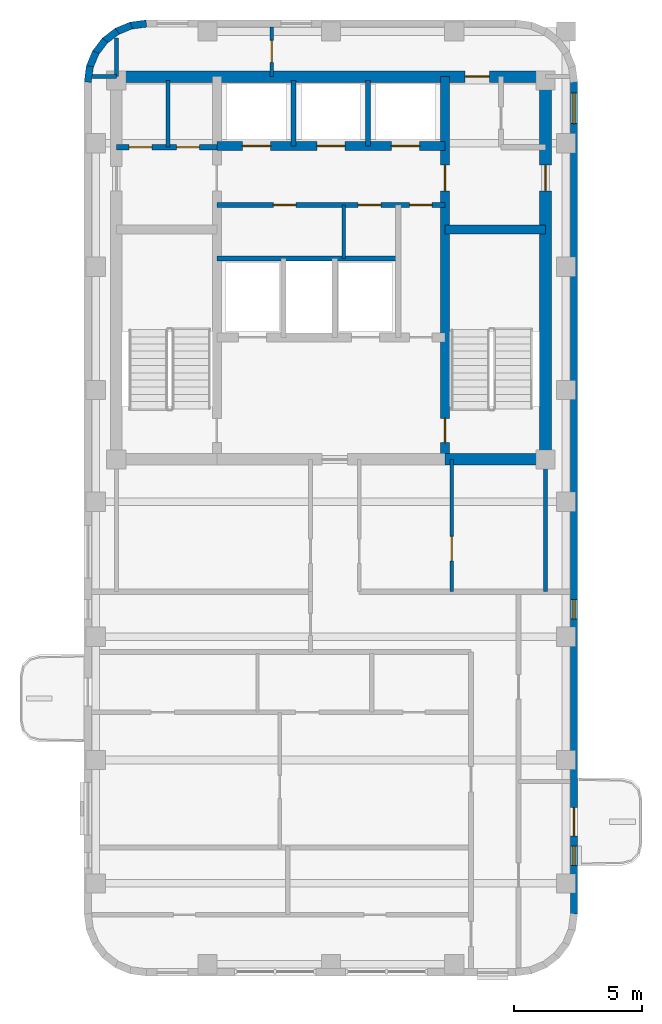
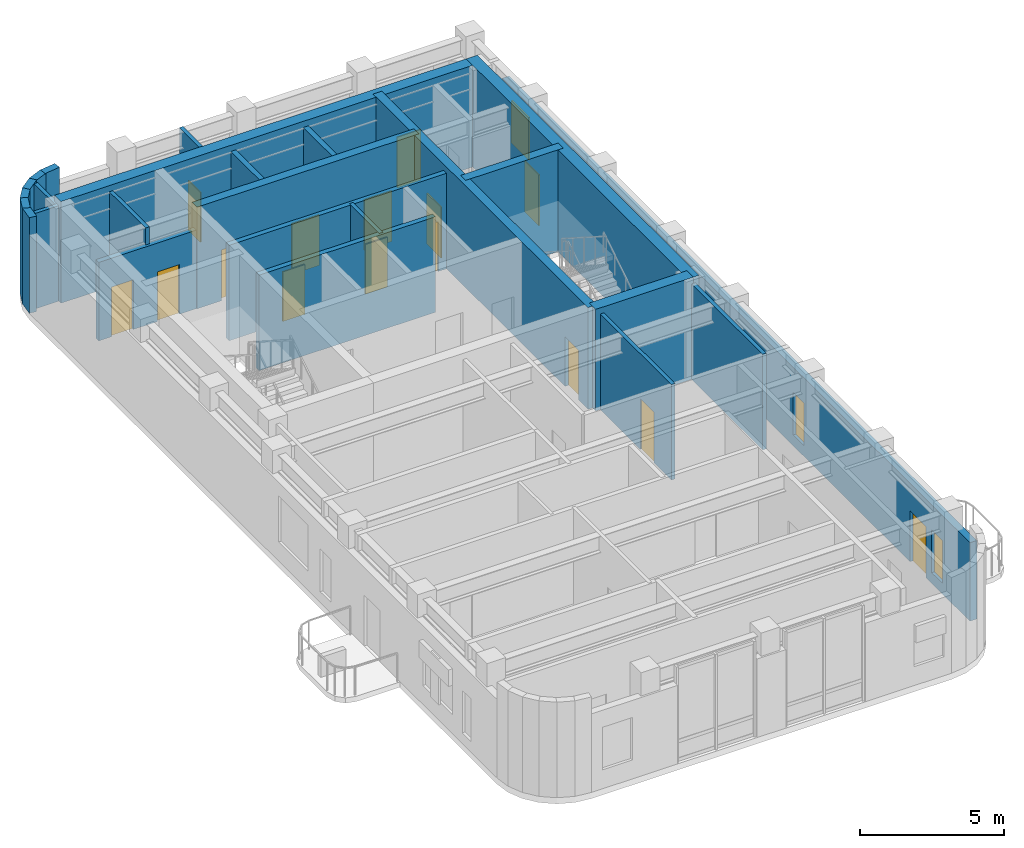
# One storey, part 4 of 6: 25 walls, 15 doors, 3 windows, 18 openings.
"""IFC4 building model written with IfcOpenShell, lengths in metres."""

from ifc_helpers import new_model, si_unit, direction, frame, frame_2d, origin, place, context, subcontext, project, spatial, rectangle, extrude, material, layer, layer_set, type_object, element, fill, save


model = new_model("IFC4")

# Units and contexts
model_context = context("Model", 3, precision=1e-05, world=origin(), true_north=direction((0.0, 1.0)))
body_context = subcontext(model_context, "Body", "Model", "MODEL_VIEW")
ifc_project = project(units=[si_unit("LENGTHUNIT", "METRE"), si_unit("AREAUNIT", "SQUARE_METRE"), si_unit("VOLUMEUNIT", "CUBIC_METRE"), si_unit("PLANEANGLEUNIT", "RADIAN"), si_unit("MASSUNIT", "GRAM", prefix="KILO")], contexts=[model_context])

# Site, building, storey
site_placement = place(None, origin())
site = spatial("IfcSite", under=ifc_project, at=site_placement, CompositionType="ELEMENT")
building_placement = place(site_placement, origin())
building = spatial("IfcBuilding", under=site, at=building_placement, Name="Orvandelia Arch Residences", CompositionType="ELEMENT")
storey_placement = place(building_placement, frame((0.0, 0.0, 278.5)))
storey = spatial("IfcBuildingStorey", under=building, at=storey_placement, Name="L72", CompositionType="ELEMENT", Elevation=278.5)

# Wall, openings, doors
ifc_material_1 = material(Name="Concrete C50/60", Category="concrete")
ifc_layer_1 = layer(ifc_material_1, 0.35009765625, Name="Concrete C50/60", Category="concrete")
ifc_layer_set_1 = layer_set([ifc_layer_1], Name="Concrete C50/60")
wall_type_1 = type_object("IfcWallType", Name="WL-CORE-350", PredefinedType="SHEAR", material=ifc_layer_set_1)
wall_1_placement = place(storey_placement, frame((18.840087890625, 30.89990234375, 0.0), z_axis=(0.0, 0.0, 1.0), x_axis=(0.0, 1.0, 0.0)))
wall_1 = element("IfcWall", 1, at=wall_1_placement, inside=storey, type_object=wall_type_1, Name="Core Shear Wall L72-WEB2", PredefinedType="SHEAR", context=body_context, shape_type="SweptSolid", body=[
    extrude(rectangle(XDim=14.900146484375, YDim=0.35009765625, at=frame_2d((7.4501953125, 0.0))), origin(), (0.0, 0.0, 1.0), 4.300048828125),
])
opening_1_placement = place(wall_1_placement, frame((0.64990234375, 0.0, 0.0)))
opening_1 = element("IfcOpeningElement", 2, at=opening_1_placement, cuts=wall_1, Name="Opening D7", PredefinedType="OPENING", context=body_context, shape_type="SweptSolid", body=[
    extrude(rectangle(XDim=0.949951171875, YDim=2.10009765625, at=frame_2d((0.47509765625, 1.050048828125))), frame((0.0, 0.18505859375, 0.0), z_axis=(0.0, -1.0, 0.0), x_axis=(1.0, 0.0, 0.0)), (0.0, 0.0, 1.0), 0.3701171875),
])
opening_2_placement = place(wall_1_placement, frame((10.449951171875, 0.0, 0.0)))
opening_2 = element("IfcOpeningElement", 3, at=opening_2_placement, cuts=wall_1, Name="Opening D6", PredefinedType="OPENING", context=body_context, shape_type="SweptSolid", body=[
    extrude(rectangle(XDim=1.0, YDim=2.14990234375, at=frame_2d((0.5, 1.074951171875))), frame((0.0, 0.18505859375, 0.0), z_axis=(0.0, -1.0, 0.0), x_axis=(1.0, 0.0, 0.0)), (0.0, 0.0, 1.0), 0.3701171875),
])
ifc_material_2 = material(Name="Smokeproof Painted Steel Fire Door", Category="steel")
door_type_1 = type_object("IfcDoorType", Name="DR-FD60-1000", OperationType="NOTDEFINED", PredefinedType="DOOR", material=ifc_material_2)
door_1_placement = place(opening_2_placement, origin())
door_1 = element("IfcDoor", 4, at=door_1_placement, inside=storey, type_object=door_type_1, Name="High-Rise Lift Hall East Vestibule Door L72", OperationType="SINGLE_SWING_RIGHT", OverallHeight=2.14990234375, OverallWidth=1.0, PredefinedType="DOOR", context=body_context, shape_type="SweptSolid", body=[
    extrude(rectangle(XDim=1.0, YDim=2.14990234375, at=frame_2d((0.5, 1.074951171875))), frame((0.0, 0.02490234375, 0.0), z_axis=(0.0, -1.0, 0.0), x_axis=(1.0, 0.0, 0.0)), (0.0, 0.0, 1.0), 0.050048828125),
])
fill(opening_2, door_1)
ifc_material_3 = material(Name="Pressurised Stairwell Fire Door")
door_type_2 = type_object("IfcDoorType", Name="DR-STAIR-950", OperationType="NOTDEFINED", PredefinedType="DOOR", material=ifc_material_3)
door_2_placement = place(opening_1_placement, origin())
door_2 = element("IfcDoor", 5, at=door_2_placement, inside=storey, type_object=door_type_2, Name="Stairwell ST-2 Fire Door L72", OperationType="SINGLE_SWING_RIGHT", OverallHeight=2.10009765625, OverallWidth=0.949951171875, PredefinedType="DOOR", context=body_context, shape_type="SweptSolid", body=[
    extrude(rectangle(XDim=0.949951171875, YDim=2.10009765625, at=frame_2d((0.47509765625, 1.050048828125))), frame((0.0, 0.02490234375, 0.0), z_axis=(0.0, -1.0, 0.0), x_axis=(1.0, 0.0, 0.0)), (0.0, 0.0, 1.0), 0.050048828125),
])
fill(opening_1, door_2)

# Wall
wall_2_placement = place(storey_placement, frame((18.840087890625, 39.85009765625, 0.0), z_axis=(0.0, 0.0, 1.0), x_axis=(1.0, 0.0, 0.0)))
element("IfcWall", 6, at=wall_2_placement, inside=storey, type_object=wall_type_1, Name="Core Shear Wall L72-HZ2", PredefinedType="SHEAR", context=body_context, shape_type="SweptSolid", body=[
    extrude(rectangle(XDim=3.909912109375, YDim=0.35009765625, at=frame_2d((1.955078125, 0.0))), origin(), (0.0, 0.0, 1.0), 4.300048828125),
])

# Wall, openings, doors
wall_3_placement = place(storey_placement, frame((9.9599609375, 43.10009765625, 0.0), z_axis=(0.0, 0.0, 1.0), x_axis=(1.0, 0.0, 0.0)))
wall_3 = element("IfcWall", 7, at=wall_3_placement, inside=storey, type_object=wall_type_1, Name="Core Shear Wall L72-HZ4", PredefinedType="SHEAR", context=body_context, shape_type="SweptSolid", body=[
    extrude(rectangle(XDim=8.880126953125, YDim=0.35009765625, at=frame_2d((4.43994140625, 0.0))), origin(), (0.0, 0.0, 1.0), 4.300048828125),
])
opening_3_placement = place(wall_3_placement, frame((0.989990234375, 0.0, 0.0)))
opening_3 = element("IfcOpeningElement", 8, at=opening_3_placement, cuts=wall_3, Name="Opening LD", PredefinedType="OPENING", context=body_context, shape_type="SweptSolid", body=[
    extrude(rectangle(XDim=1.10009765625, YDim=2.14990234375, at=frame_2d((0.550048828125, 1.074951171875))), frame((0.0, 0.18505859375, 0.0), z_axis=(0.0, -1.0, 0.0), x_axis=(1.0, 0.0, 0.0)), (0.0, 0.0, 1.0), 0.3701171875),
])
opening_4_placement = place(wall_3_placement, frame((3.889892578125, 0.0, 0.0)))
opening_4 = element("IfcOpeningElement", 9, at=opening_4_placement, cuts=wall_3, Name="Opening LD", PredefinedType="OPENING", context=body_context, shape_type="SweptSolid", body=[
    extrude(rectangle(XDim=1.10009765625, YDim=2.14990234375, at=frame_2d((0.550048828125, 1.074951171875))), frame((0.0, 0.18505859375, 0.0), z_axis=(0.0, -1.0, 0.0), x_axis=(1.0, 0.0, 0.0)), (0.0, 0.0, 1.0), 0.3701171875),
])
opening_5_placement = place(wall_3_placement, frame((6.7900390625, 0.0, 0.0)))
opening_5 = element("IfcOpeningElement", 10, at=opening_5_placement, cuts=wall_3, Name="Opening LD", PredefinedType="OPENING", context=body_context, shape_type="SweptSolid", body=[
    extrude(rectangle(XDim=1.10009765625, YDim=2.14990234375, at=frame_2d((0.550048828125, 1.074951171875))), frame((0.0, 0.18505859375, 0.0), z_axis=(0.0, -1.0, 0.0), x_axis=(1.0, 0.0, 0.0)), (0.0, 0.0, 1.0), 0.3701171875),
])
ifc_material_4 = material(Name="Brushed Stainless Steel Sliding Lift Door", Category="steel")
door_type_3 = type_object("IfcDoorType", Name="DR-LIFT-1100", OperationType="NOTDEFINED", PredefinedType="DOOR", material=ifc_material_4)
door_3_placement = place(opening_3_placement, origin())
door_3 = element("IfcDoor", 11, at=door_3_placement, inside=storey, type_object=door_type_3, Name="Lift Landing Door LD-PH1-L72", OperationType="SLIDING_TO_LEFT", OverallHeight=2.14990234375, OverallWidth=1.10009765625, PredefinedType="DOOR", context=body_context, shape_type="SweptSolid", body=[
    extrude(rectangle(XDim=1.10009765625, YDim=2.14990234375, at=frame_2d((0.550048828125, 1.074951171875))), frame((0.0, 0.02490234375, 0.0), z_axis=(0.0, -1.0, 0.0), x_axis=(1.0, 0.0, 0.0)), (0.0, 0.0, 1.0), 0.050048828125),
])
fill(opening_3, door_3)
door_4_placement = place(opening_4_placement, origin())
door_4 = element("IfcDoor", 12, at=door_4_placement, inside=storey, type_object=door_type_3, Name="Lift Landing Door LD-PH2-L72", OperationType="SLIDING_TO_RIGHT", OverallHeight=2.14990234375, OverallWidth=1.10009765625, PredefinedType="DOOR", context=body_context, shape_type="SweptSolid", body=[
    extrude(rectangle(XDim=1.10009765625, YDim=2.14990234375, at=frame_2d((0.550048828125, 1.074951171875))), frame((0.0, 0.02490234375, 0.0), z_axis=(0.0, -1.0, 0.0), x_axis=(1.0, 0.0, 0.0)), (0.0, 0.0, 1.0), 0.050048828125),
])
fill(opening_4, door_4)
door_5_placement = place(opening_5_placement, origin())
door_5 = element("IfcDoor", 13, at=door_5_placement, inside=storey, type_object=door_type_3, Name="Lift Landing Door LD-PH3-L72", OperationType="SLIDING_TO_LEFT", OverallHeight=2.14990234375, OverallWidth=1.10009765625, PredefinedType="DOOR", context=body_context, shape_type="SweptSolid", body=[
    extrude(rectangle(XDim=1.10009765625, YDim=2.14990234375, at=frame_2d((0.550048828125, 1.074951171875))), frame((0.0, 0.02490234375, 0.0), z_axis=(0.0, -1.0, 0.0), x_axis=(1.0, 0.0, 0.0)), (0.0, 0.0, 1.0), 0.050048828125),
])
fill(opening_5, door_5)

# Wall, opening, door
ifc_layer_2 = layer(ifc_material_1, 0.449951171875, Name="Concrete C50/60", Category="concrete")
ifc_layer_set_2 = layer_set([ifc_layer_2], Name="Concrete C50/60")
wall_type_2 = type_object("IfcWallType", Name="WL-CORE-450", PredefinedType="SHEAR", material=ifc_layer_set_2)
wall_4_placement = place(storey_placement, frame((22.75, 30.675048828125, 0.0), z_axis=(0.0, 0.0, 1.0), x_axis=(0.0, 1.0, 0.0)))
wall_4 = element("IfcWall", 14, at=wall_4_placement, inside=storey, type_object=wall_type_2, Name="Core Shear Wall L72-E", PredefinedType="SHEAR", context=body_context, shape_type="SweptSolid", body=[
    extrude(rectangle(XDim=15.349853515625, YDim=0.449951171875, at=frame_2d((7.6748046875, 0.0))), origin(), (0.0, 0.0, 1.0), 4.300048828125),
])
opening_6_placement = place(wall_4_placement, frame((10.675048828125, 0.0, 0.0)))
opening_6 = element("IfcOpeningElement", 15, at=opening_6_placement, cuts=wall_4, Name="Opening D6", PredefinedType="OPENING", context=body_context, shape_type="SweptSolid", body=[
    extrude(rectangle(XDim=1.0, YDim=2.14990234375, at=frame_2d((0.5, 1.074951171875))), frame((0.0, 0.23486328125, 0.0), z_axis=(0.0, -1.0, 0.0), x_axis=(1.0, 0.0, 0.0)), (0.0, 0.0, 1.0), 0.469970703125),
])
door_6_placement = place(opening_6_placement, origin())
door_6 = element("IfcDoor", 16, at=door_6_placement, inside=storey, type_object=door_type_1, Name="Core East Corridor Link Door L72", OperationType="SINGLE_SWING_LEFT", OverallHeight=2.14990234375, OverallWidth=1.0, PredefinedType="DOOR", context=body_context, shape_type="SweptSolid", body=[
    extrude(rectangle(XDim=1.0, YDim=2.14990234375, at=frame_2d((0.5, 1.074951171875))), frame((0.0, 0.02490234375, 0.0), z_axis=(0.0, -1.0, 0.0), x_axis=(1.0, 0.0, 0.0)), (0.0, 0.0, 1.0), 0.050048828125),
])
fill(opening_6, door_6)

wall_5_placement = place(storey_placement, frame((6.050048828125, 45.800048828125, 0.0), z_axis=(0.0, 0.0, 1.0), x_axis=(1.0, 0.0, 0.0)))
wall_5 = element("IfcWall", 17, at=wall_5_placement, inside=storey, type_object=wall_type_2, Name="Core Shear Wall L72-N", PredefinedType="SHEAR", context=body_context, shape_type="SweptSolid", body=[
    extrude(rectangle(XDim=16.699951171875, YDim=0.449951171875, at=frame_2d((8.35009765625, 0.0))), origin(), (0.0, 0.0, 1.0), 4.300048828125),
])
opening_7_placement = place(wall_5_placement, frame((13.570068359375, 0.0, 0.0)))
opening_7 = element("IfcOpeningElement", 18, at=opening_7_placement, cuts=wall_5, Name="Opening D2", PredefinedType="OPENING", context=body_context, shape_type="SweptSolid", body=[
    extrude(rectangle(XDim=0.949951171875, YDim=2.14990234375, at=frame_2d((0.47509765625, 1.074951171875))), frame((0.0, 0.23486328125, 0.0), z_axis=(0.0, -1.0, 0.0), x_axis=(1.0, 0.0, 0.0)), (0.0, 0.0, 1.0), 0.469970703125),
])
ifc_material_5 = material(Name="Solid-Core Timber Interior Fire Door", Category="wood")
door_type_4 = type_object("IfcDoorType", Name="DR-APT-950", OperationType="NOTDEFINED", PredefinedType="DOOR", material=ifc_material_5)
door_7_placement = place(opening_7_placement, origin())
door_7 = element("IfcDoor", 19, at=door_7_placement, inside=storey, type_object=door_type_4, Name="North Harbour Suite Entry Door L72", OperationType="SINGLE_SWING_LEFT", OverallHeight=2.14990234375, OverallWidth=0.949951171875, PredefinedType="DOOR", context=body_context, shape_type="SweptSolid", body=[
    extrude(rectangle(XDim=0.949951171875, YDim=2.14990234375, at=frame_2d((0.47509765625, 1.074951171875))), frame((0.0, 0.02490234375, 0.0), z_axis=(0.0, -1.0, 0.0), x_axis=(1.0, 0.0, 0.0)), (0.0, 0.0, 1.0), 0.050048828125),
])
fill(opening_7, door_7)

# Walls
wall_6_placement = place(storey_placement, frame((18.840087890625, 30.89990234375, 0.0), z_axis=(0.0, 0.0, 1.0), x_axis=(1.0, 0.0, 0.0)))
element("IfcWall", 20, at=wall_6_placement, inside=storey, type_object=wall_type_2, Name="Core Shear Wall L72-SE", PredefinedType="SHEAR", context=body_context, shape_type="SweptSolid", body=[
    extrude(rectangle(XDim=3.909912109375, YDim=0.449951171875, at=frame_2d((1.955078125, 0.0))), origin(), (0.0, 0.0, 1.0), 4.300048828125),
])
ifc_material_6 = material(Name="Precast concrete C40/50", Category="concrete")
ifc_layer_3 = layer(ifc_material_6, 0.280029296875, Name="Precast concrete C40/50", Category="concrete")
ifc_layer_set_3 = layer_set([ifc_layer_3], Name="Precast concrete C40/50")
wall_type_3 = type_object("IfcWallType", Name="WL-EXT-STONE-280", PredefinedType="STANDARD", material=ifc_layer_set_3)
for number, where, z_axis, x_axis, name in (
    (21, (4.938720703125, 45.581787109375, 0.0), (0.0, 0.0, 1.0), (0.130555323746, 0.9914410257, 0.0), "Coral-Limestone Precast Facade Wall L72-001"),
    (22, (5.010986328125, 46.16748046875, 0.0), (0.0, 0.0, 1.0), (0.382650053678, 0.92389335771, 0.0), "Coral-Limestone Precast Facade Wall L72-002"),
    (23, (5.232666015625, 46.71484375, 0.0), (0.0, 0.0, 1.0), (0.608693302629, 0.793405610854, 0.0), "Coral-Limestone Precast Facade Wall L72-003"),
    (24, (5.588134765625, 47.18603515625, 0.0), (0.0, 0.0, 1.0), (0.793405610854, 0.608693302629, 0.0), "Coral-Limestone Precast Facade Wall L72-004"),
):
    element("IfcWall", number, at=place(storey_placement, frame(where, z_axis=z_axis, x_axis=x_axis)), inside=storey, type_object=wall_type_3, Name=name, PredefinedType="STANDARD", context=body_context, shape_type="SweptSolid", body=[
        extrude(rectangle(XDim=0.62646484375, YDim=0.280029296875, at=frame_2d((0.313232421875, 0.0))), origin(), (0.0, 0.0, 1.0), 4.0400390625),
    ])
wall_7_placement = place(storey_placement, frame((6.0537109375, 47.54931640625, 0.0), z_axis=(0.0, 0.0, 1.0), x_axis=(0.923974080304, 0.382455093999, 0.0)))
element("IfcWall", 25, at=wall_7_placement, inside=storey, type_object=wall_type_3, Name="Coral-Limestone Precast Facade Wall L72-005", PredefinedType="STANDARD", context=body_context, shape_type="SweptSolid", body=[
    extrude(rectangle(XDim=0.626220703125, YDim=0.280029296875, at=frame_2d((0.31298828125, 0.0))), origin(), (0.0, 0.0, 1.0), 4.0400390625),
])
wall_8_placement = place(storey_placement, frame((6.59716796875, 47.779296875, 0.0), z_axis=(0.0, 0.0, 1.0), x_axis=(0.9914410257, 0.130555323746, 0.0)))
element("IfcWall", 26, at=wall_8_placement, inside=storey, type_object=wall_type_3, Name="Coral-Limestone Precast Facade Wall L72-006", PredefinedType="STANDARD", context=body_context, shape_type="SweptSolid", body=[
    extrude(rectangle(XDim=0.62646484375, YDim=0.280029296875, at=frame_2d((0.313232421875, 0.0))), origin(), (0.0, 0.0, 1.0), 4.0400390625),
])

# Wall, openings, door, windows
wall_9_placement = place(storey_placement, frame((23.860107421875, 45.60009765625, 0.0), z_axis=(0.0, 0.0, 1.0), x_axis=(0.0, -1.0, 0.0)))
wall_9 = element("IfcWall", 27, at=wall_9_placement, inside=storey, type_object=wall_type_3, Name="Coral-Limestone Precast Facade Wall L72-014", PredefinedType="STANDARD", context=body_context, shape_type="SweptSolid", body=[
    extrude(rectangle(XDim=32.400146484375, YDim=0.280029296875, at=frame_2d((16.2001953125, 0.0))), origin(), (0.0, 0.0, 1.0), 3.320068359375),
])
opening_8_placement = place(wall_9_placement, frame((28.25, 0.0, 0.0)))
opening_8 = element("IfcOpeningElement", 28, at=opening_8_placement, cuts=wall_9, Name="Opening BD1", PredefinedType="OPENING", context=body_context, shape_type="SweptSolid", body=[
    extrude(rectangle(XDim=1.10009765625, YDim=2.14990234375, at=frame_2d((0.550048828125, 1.074951171875))), frame((0.0, 0.14990234375, 0.0), z_axis=(0.0, -1.0, 0.0), x_axis=(1.0, 0.0, 0.0)), (0.0, 0.0, 1.0), 0.300048828125),
])
opening_9_placement = place(wall_9_placement, frame((29.75244140625, 0.0, 0.449951171875)))
opening_9 = element("IfcOpeningElement", 29, at=opening_9_placement, cuts=wall_9, Name="Opening W11", PredefinedType="OPENING", context=body_context, shape_type="SweptSolid", body=[
    extrude(rectangle(XDim=0.75, YDim=1.800048828125, at=frame_2d((0.375, 0.89990234375))), frame((0.0, 0.14990234375, 0.0), z_axis=(0.0, -1.0, 0.0), x_axis=(1.0, 0.0, 0.0)), (0.0, 0.0, 1.0), 0.300048828125),
])
opening_10_placement = place(wall_9_placement, frame((20.152587890625, 0.0, 0.449951171875)))
opening_10 = element("IfcOpeningElement", 30, at=opening_10_placement, cuts=wall_9, Name="Opening W11", PredefinedType="OPENING", context=body_context, shape_type="SweptSolid", body=[
    extrude(rectangle(XDim=0.75, YDim=1.800048828125, at=frame_2d((0.375, 0.89990234375))), frame((0.0, 0.14990234375, 0.0), z_axis=(0.0, -1.0, 0.0), x_axis=(1.0, 0.0, 0.0)), (0.0, 0.0, 1.0), 0.300048828125),
])
opening_11_placement = place(wall_9_placement, frame((0.4326171875, 0.0, 0.800048828125)))
opening_11 = element("IfcOpeningElement", 31, at=opening_11_placement, cuts=wall_9, Name="Opening W3", PredefinedType="OPENING", context=body_context, shape_type="SweptSolid", body=[
    extrude(rectangle(XDim=1.199951171875, YDim=1.800048828125, at=frame_2d((0.60009765625, 0.89990234375))), frame((0.0, 0.14990234375, 0.0), z_axis=(0.0, -1.0, 0.0), x_axis=(1.0, 0.0, 0.0)), (0.0, 0.0, 1.0), 0.300048828125),
])
ifc_material_7 = material(Name="Thermally Broken Aluminium Glazed Door", Category="aluminium")
door_type_5 = type_object("IfcDoorType", Name="DR-BAL-GLAZ-1100", OperationType="NOTDEFINED", PredefinedType="DOOR", material=ifc_material_7)
door_8_placement = place(opening_8_placement, origin())
door_8 = element("IfcDoor", 32, at=door_8_placement, inside=storey, type_object=door_type_5, Name="Tree Balcony Glazed Door BAL-L72-W2", OperationType="SINGLE_SWING_LEFT", OverallHeight=2.14990234375, OverallWidth=1.10009765625, PredefinedType="DOOR", context=body_context, shape_type="SweptSolid", body=[
    extrude(rectangle(XDim=1.10009765625, YDim=2.14990234375, at=frame_2d((0.550048828125, 1.074951171875))), frame((0.0, 0.02490234375, 0.0), z_axis=(0.0, -1.0, 0.0), x_axis=(1.0, 0.0, 0.0)), (0.0, 0.0, 1.0), 0.050048828125),
])
fill(opening_8, door_8)
ifc_material_8 = material(Name="Tempered Low-E Insulated Glazing", Category="glass")
window_type_1 = type_object("IfcWindowType", Name="WIN-BED-0750x1800", PartitioningType="SINGLE_PANEL", PredefinedType="WINDOW", material=ifc_material_8)
window_1_placement = place(opening_9_placement, origin())
window_1 = element("IfcWindow", 33, at=window_1_placement, inside=storey, type_object=window_type_1, Name="Recessed Punched Window L72-003", OverallHeight=1.800048828125, OverallWidth=0.75, PartitioningType="SINGLE_PANEL", PredefinedType="WINDOW", context=body_context, shape_type="SweptSolid", body=[
    extrude(rectangle(XDim=0.75, YDim=1.800048828125, at=frame_2d((0.375, 0.89990234375))), frame((0.0, 0.030029296875, 0.0), z_axis=(0.0, -1.0, 0.0), x_axis=(1.0, 0.0, 0.0)), (0.0, 0.0, 1.0), 0.06005859375),
])
fill(opening_9, window_1)
window_2_placement = place(opening_10_placement, origin())
window_2 = element("IfcWindow", 34, at=window_2_placement, inside=storey, type_object=window_type_1, Name="Recessed Punched Window L72-004", OverallHeight=1.800048828125, OverallWidth=0.75, PartitioningType="SINGLE_PANEL", PredefinedType="WINDOW", context=body_context, shape_type="SweptSolid", body=[
    extrude(rectangle(XDim=0.75, YDim=1.800048828125, at=frame_2d((0.375, 0.89990234375))), frame((0.0, 0.030029296875, 0.0), z_axis=(0.0, -1.0, 0.0), x_axis=(1.0, 0.0, 0.0)), (0.0, 0.0, 1.0), 0.06005859375),
])
fill(opening_10, window_2)
window_type_2 = type_object("IfcWindowType", Name="WIN-RES-1200x1800", PartitioningType="SINGLE_PANEL", PredefinedType="WINDOW", material=ifc_material_8)
window_3_placement = place(opening_11_placement, origin())
window_3 = element("IfcWindow", 35, at=window_3_placement, inside=storey, type_object=window_type_2, Name="Recessed Punched Window L72-005", OverallHeight=1.800048828125, OverallWidth=1.199951171875, PartitioningType="SINGLE_PANEL", PredefinedType="WINDOW", context=body_context, shape_type="SweptSolid", body=[
    extrude(rectangle(XDim=1.199951171875, YDim=1.800048828125, at=frame_2d((0.60009765625, 0.89990234375))), frame((0.0, 0.030029296875, 0.0), z_axis=(0.0, -1.0, 0.0), x_axis=(1.0, 0.0, 0.0)), (0.0, 0.0, 1.0), 0.06005859375),
])
fill(opening_11, window_3)

# Walls
ifc_material_9 = material(Name="Acoustic Gypsum Stud Partition")
ifc_layer_4 = layer(ifc_material_9, 0.14990234375, Name="Acoustic Gypsum Stud Partition")
ifc_layer_set_4 = layer_set([ifc_layer_4], Name="Acoustic Gypsum Stud Partition")
wall_type_4 = type_object("IfcWallType", Name="WL-PART-150", PredefinedType="PARTITIONING", material=ifc_layer_set_4)
wall_10_placement = place(storey_placement, frame((8.06005859375, 43.050048828125, 0.0), z_axis=(0.0, 0.0, 1.0), x_axis=(0.0, 1.0, 0.0)))
element("IfcWall", 36, at=wall_10_placement, inside=storey, type_object=wall_type_4, Name="Interior Partition Wall WL-L72-CRELC-M", PredefinedType="PARTITIONING", context=body_context, shape_type="SweptSolid", body=[
    extrude(rectangle(XDim=2.599853515625, YDim=0.14990234375, at=frame_2d((1.2998046875, 0.0))), origin(), (0.0, 0.0, 1.0), 4.0400390625),
])
wall_11_placement = place(storey_placement, frame((14.89990234375, 38.719970703125, 0.0), z_axis=(0.0, 0.0, 1.0), x_axis=(0.0, 1.0, 0.0)))
element("IfcWall", 37, at=wall_11_placement, inside=storey, type_object=wall_type_4, Name="Interior Partition Wall WL-L72-CSA-1", PredefinedType="PARTITIONING", context=body_context, shape_type="SweptSolid", body=[
    extrude(rectangle(XDim=2.080078125, YDim=0.14990234375, at=frame_2d((1.0400390625, 0.0))), origin(), (0.0, 0.0, 1.0), 4.0400390625),
])
wall_12_placement = place(storey_placement, frame((22.75, 25.75, 0.0), z_axis=(0.0, 0.0, 1.0), x_axis=(0.0, 1.0, 0.0)))
element("IfcWall", 38, at=wall_12_placement, inside=storey, type_object=wall_type_4, Name="Interior Partition Wall WL-L72-HI-WE", PredefinedType="PARTITIONING", context=body_context, shape_type="SweptSolid", body=[
    extrude(rectangle(XDim=5.14990234375, YDim=0.14990234375, at=frame_2d((2.574951171875, 0.0))), origin(), (0.0, 0.0, 1.0), 4.0400390625),
])

# Wall, opening, door
wall_13_placement = place(storey_placement, frame((19.10009765625, 25.75, 0.0), z_axis=(0.0, 0.0, 1.0), x_axis=(0.0, 1.0, 0.0)))
wall_13 = element("IfcWall", 39, at=wall_13_placement, inside=storey, type_object=wall_type_4, Name="Interior Partition Wall WL-L72-HIR-M2", PredefinedType="PARTITIONING", context=body_context, shape_type="SweptSolid", body=[
    extrude(rectangle(XDim=5.14990234375, YDim=0.14990234375, at=frame_2d((2.574951171875, 0.0))), origin(), (0.0, 0.0, 1.0), 4.0400390625),
])
opening_12_placement = place(wall_13_placement, frame((1.199951171875, 0.0, 0.0)))
opening_12 = element("IfcOpeningElement", 40, at=opening_12_placement, cuts=wall_13, Name="Opening D2", PredefinedType="OPENING", context=body_context, shape_type="SweptSolid", body=[
    extrude(rectangle(XDim=0.949951171875, YDim=2.14990234375, at=frame_2d((0.47509765625, 1.074951171875))), frame((0.0, 0.0849609375, 0.0), z_axis=(0.0, -1.0, 0.0), x_axis=(1.0, 0.0, 0.0)), (0.0, 0.0, 1.0), 0.169921875),
])
door_9_placement = place(opening_12_placement, origin())
door_9 = element("IfcDoor", 41, at=door_9_placement, inside=storey, type_object=door_type_4, Name="DR-L72-HIR2B", OperationType="SINGLE_SWING_LEFT", OverallHeight=2.14990234375, OverallWidth=0.949951171875, PredefinedType="DOOR", context=body_context, shape_type="SweptSolid", body=[
    extrude(rectangle(XDim=0.949951171875, YDim=2.14990234375, at=frame_2d((0.47509765625, 1.074951171875))), frame((0.0, 0.02490234375, 0.0), z_axis=(0.0, -1.0, 0.0), x_axis=(1.0, 0.0, 0.0)), (0.0, 0.0, 1.0), 0.050048828125),
])
fill(opening_12, door_9)

# Walls
wall_14_placement = place(storey_placement, frame((5.1201171875, 45.800048828125, 0.0), z_axis=(0.0, 0.0, 1.0), x_axis=(1.0, 0.0, 0.0)))
element("IfcWall", 42, at=wall_14_placement, inside=storey, type_object=wall_type_4, Name="Interior Partition Wall WL-L72-WF-N", PredefinedType="PARTITIONING", context=body_context, shape_type="SweptSolid", body=[
    extrude(rectangle(XDim=0.929931640625, YDim=0.14990234375, at=frame_2d((0.46484375, 0.0))), origin(), (0.0, 0.0, 1.0), 4.0400390625),
])
wall_15_placement = place(storey_placement, frame((6.050048828125, 45.800048828125, 0.0), z_axis=(0.0, 0.0, 1.0), x_axis=(0.0, 1.0, 0.0)))
element("IfcWall", 43, at=wall_15_placement, inside=storey, type_object=wall_type_4, Name="Interior Partition Wall WL-L72-NHI-W6", PredefinedType="PARTITIONING", context=body_context, shape_type="SweptSolid", body=[
    extrude(rectangle(XDim=1.5, YDim=0.14990234375, at=frame_2d((0.75, 0.0))), origin(), (0.0, 0.0, 1.0), 4.0400390625),
])

# Wall, opening, door
wall_16_placement = place(storey_placement, frame((12.10009765625, 45.800048828125, 0.0), z_axis=(0.0, 0.0, 1.0), x_axis=(0.0, 1.0, 0.0)))
wall_16 = element("IfcWall", 44, at=wall_16_placement, inside=storey, type_object=wall_type_4, Name="Interior Partition Wall WL-L72-NHI-M", PredefinedType="PARTITIONING", context=body_context, shape_type="SweptSolid", body=[
    extrude(rectangle(XDim=1.919921875, YDim=0.14990234375, at=frame_2d((0.9599609375, 0.0))), origin(), (0.0, 0.0, 1.0), 4.0400390625),
])
opening_13_placement = place(wall_16_placement, frame((0.550048828125, 0.0, 0.0)))
opening_13 = element("IfcOpeningElement", 45, at=opening_13_placement, cuts=wall_16, Name="Opening D4", PredefinedType="OPENING", context=body_context, shape_type="SweptSolid", body=[
    extrude(rectangle(XDim=0.860107421875, YDim=2.10009765625, at=frame_2d((0.43017578125, 1.050048828125))), frame((0.0, 0.0849609375, 0.0), z_axis=(0.0, -1.0, 0.0), x_axis=(1.0, 0.0, 0.0)), (0.0, 0.0, 1.0), 0.169921875),
])
ifc_material_10 = material(Name="Moisture-Sealed Timber Bathroom Door", Category="wood")
door_type_6 = type_object("IfcDoorType", Name="DR-WET-900", OperationType="NOTDEFINED", PredefinedType="DOOR", material=ifc_material_10)
door_10_placement = place(opening_13_placement, origin())
door_10 = element("IfcDoor", 46, at=door_10_placement, inside=storey, type_object=door_type_6, Name="DR-L72-NHI1", OperationType="SINGLE_SWING_LEFT", OverallHeight=2.10009765625, OverallWidth=0.860107421875, PredefinedType="DOOR", context=body_context, shape_type="SweptSolid", body=[
    extrude(rectangle(XDim=0.860107421875, YDim=2.10009765625, at=frame_2d((0.43017578125, 1.050048828125))), frame((0.0, 0.02490234375, 0.0), z_axis=(0.0, -1.0, 0.0), x_axis=(1.0, 0.0, 0.0)), (0.0, 0.0, 1.0), 0.050048828125),
])
fill(opening_13, door_10)

# Wall
ifc_material_11 = material(Name="Fire-Rated Shaft Enclosure Wall")
ifc_layer_5 = layer(ifc_material_11, 0.199951171875, Name="Fire-Rated Shaft Enclosure Wall")
ifc_layer_set_5 = layer_set([ifc_layer_5], Name="Fire-Rated Shaft Enclosure Wall")
wall_type_5 = type_object("IfcWallType", Name="WL-SHAFT-200", PredefinedType="POLYGONAL", material=ifc_layer_set_5)
wall_17_placement = place(storey_placement, frame((9.9599609375, 38.719970703125, 0.0), z_axis=(0.0, 0.0, 1.0), x_axis=(1.0, 0.0, 0.0)))
element("IfcWall", 47, at=wall_17_placement, inside=storey, type_object=wall_type_5, Name="Interior Partition Wall WL-L72-FLN", PredefinedType="POLYGONAL", context=body_context, shape_type="SweptSolid", body=[
    extrude(rectangle(XDim=7.06005859375, YDim=0.199951171875, at=frame_2d((3.530029296875, 0.0))), origin(), (0.0, 0.0, 1.0), 4.0400390625),
])

# Wall, openings, doors
wall_18_placement = place(storey_placement, frame((9.9599609375, 40.800048828125, 0.0), z_axis=(0.0, 0.0, 1.0), x_axis=(1.0, 0.0, 0.0)))
wall_18 = element("IfcWall", 48, at=wall_18_placement, inside=storey, type_object=wall_type_5, Name="Interior Partition Wall WL-L72-HLH-S", PredefinedType="POLYGONAL", context=body_context, shape_type="SweptSolid", body=[
    extrude(rectangle(XDim=8.880126953125, YDim=0.199951171875, at=frame_2d((4.43994140625, 0.0))), origin(), (0.0, 0.0, 1.0), 4.0400390625),
])
opening_14_placement = place(wall_18_placement, frame((7.5, 0.0, 0.0)))
opening_14 = element("IfcOpeningElement", 49, at=opening_14_placement, cuts=wall_18, Name="Opening D5", PredefinedType="OPENING", context=body_context, shape_type="SweptSolid", body=[
    extrude(rectangle(XDim=0.8798828125, YDim=2.10009765625, at=frame_2d((0.43994140625, 1.050048828125))), frame((0.0, 0.10986328125, 0.0), z_axis=(0.0, -1.0, 0.0), x_axis=(1.0, 0.0, 0.0)), (0.0, 0.0, 1.0), 0.219970703125),
])
opening_15_placement = place(wall_18_placement, frame((2.199951171875, 0.0, 0.0)))
opening_15 = element("IfcOpeningElement", 50, at=opening_15_placement, cuts=wall_18, Name="Opening D5", PredefinedType="OPENING", context=body_context, shape_type="SweptSolid", body=[
    extrude(rectangle(XDim=0.8798828125, YDim=2.10009765625, at=frame_2d((0.43994140625, 1.050048828125))), frame((0.0, 0.10986328125, 0.0), z_axis=(0.0, -1.0, 0.0), x_axis=(1.0, 0.0, 0.0)), (0.0, 0.0, 1.0), 0.219970703125),
])
opening_16_placement = place(wall_18_placement, frame((5.5, 0.0, 0.0)))
opening_16 = element("IfcOpeningElement", 51, at=opening_16_placement, cuts=wall_18, Name="Opening D5", PredefinedType="OPENING", context=body_context, shape_type="SweptSolid", body=[
    extrude(rectangle(XDim=0.8798828125, YDim=2.10009765625, at=frame_2d((0.43994140625, 1.050048828125))), frame((0.0, 0.10986328125, 0.0), z_axis=(0.0, -1.0, 0.0), x_axis=(1.0, 0.0, 0.0)), (0.0, 0.0, 1.0), 0.219970703125),
])
ifc_material_12 = material(Name="Painted Galvanised Steel Service Door", Category="steel")
door_type_7 = type_object("IfcDoorType", Name="DR-SRV-880", OperationType="NOTDEFINED", PredefinedType="DOOR", material=ifc_material_12)
door_11_placement = place(opening_14_placement, origin())
door_11 = element("IfcDoor", 52, at=door_11_placement, inside=storey, type_object=door_type_7, Name="Core Stairway Passage North Fire Door L72", OperationType="SINGLE_SWING_RIGHT", OverallHeight=2.10009765625, OverallWidth=0.8798828125, PredefinedType="DOOR", context=body_context, shape_type="SweptSolid", body=[
    extrude(rectangle(XDim=0.8798828125, YDim=2.10009765625, at=frame_2d((0.43994140625, 1.050048828125))), frame((0.0, 0.02490234375, 0.0), z_axis=(0.0, -1.0, 0.0), x_axis=(1.0, 0.0, 0.0)), (0.0, 0.0, 1.0), 0.050048828125),
])
fill(opening_14, door_11)
door_12_placement = place(opening_15_placement, origin())
door_12 = element("IfcDoor", 53, at=door_12_placement, inside=storey, type_object=door_type_7, Name="DR-L72-CSA1", OperationType="SINGLE_SWING_RIGHT", OverallHeight=2.10009765625, OverallWidth=0.8798828125, PredefinedType="DOOR", context=body_context, shape_type="SweptSolid", body=[
    extrude(rectangle(XDim=0.8798828125, YDim=2.10009765625, at=frame_2d((0.43994140625, 1.050048828125))), frame((0.0, 0.02490234375, 0.0), z_axis=(0.0, -1.0, 0.0), x_axis=(1.0, 0.0, 0.0)), (0.0, 0.0, 1.0), 0.050048828125),
])
fill(opening_15, door_12)
door_13_placement = place(opening_16_placement, origin())
door_13 = element("IfcDoor", 54, at=door_13_placement, inside=storey, type_object=door_type_7, Name="DR-L72-CSA2", OperationType="SINGLE_SWING_LEFT", OverallHeight=2.10009765625, OverallWidth=0.8798828125, PredefinedType="DOOR", context=body_context, shape_type="SweptSolid", body=[
    extrude(rectangle(XDim=0.8798828125, YDim=2.10009765625, at=frame_2d((0.43994140625, 1.050048828125))), frame((0.0, 0.02490234375, 0.0), z_axis=(0.0, -1.0, 0.0), x_axis=(1.0, 0.0, 0.0)), (0.0, 0.0, 1.0), 0.050048828125),
])
fill(opening_16, door_13)

wall_19_placement = place(storey_placement, frame((6.050048828125, 43.050048828125, 0.0), z_axis=(0.0, 0.0, 1.0), x_axis=(1.0, 0.0, 0.0)))
wall_19 = element("IfcWall", 55, at=wall_19_placement, inside=storey, type_object=wall_type_5, Name="Interior Partition Wall WL-L72-HLW-N", PredefinedType="POLYGONAL", context=body_context, shape_type="SweptSolid", body=[
    extrude(rectangle(XDim=3.909912109375, YDim=0.199951171875, at=frame_2d((1.955078125, 0.0))), origin(), (0.0, 0.0, 1.0), 3.320068359375),
])
opening_17_placement = place(wall_19_placement, frame((0.5, 0.0, 0.0)))
opening_17 = element("IfcOpeningElement", 56, at=opening_17_placement, cuts=wall_19, Name="Opening D5", PredefinedType="OPENING", context=body_context, shape_type="SweptSolid", body=[
    extrude(rectangle(XDim=0.8798828125, YDim=2.10009765625, at=frame_2d((0.43994140625, 1.050048828125))), frame((0.0, 0.10986328125, 0.0), z_axis=(0.0, -1.0, 0.0), x_axis=(1.0, 0.0, 0.0)), (0.0, 0.0, 1.0), 0.219970703125),
])
opening_18_placement = place(wall_19_placement, frame((2.35009765625, 0.0, 0.0)))
opening_18 = element("IfcOpeningElement", 57, at=opening_18_placement, cuts=wall_19, Name="Opening D5", PredefinedType="OPENING", context=body_context, shape_type="SweptSolid", body=[
    extrude(rectangle(XDim=0.8798828125, YDim=2.10009765625, at=frame_2d((0.43994140625, 1.050048828125))), frame((0.0, 0.10986328125, 0.0), z_axis=(0.0, -1.0, 0.0), x_axis=(1.0, 0.0, 0.0)), (0.0, 0.0, 1.0), 0.219970703125),
])
door_14_placement = place(opening_17_placement, origin())
door_14 = element("IfcDoor", 58, at=door_14_placement, inside=storey, type_object=door_type_7, Name="DR-L72-CRELC1", OperationType="SINGLE_SWING_LEFT", OverallHeight=2.10009765625, OverallWidth=0.8798828125, PredefinedType="DOOR", context=body_context, shape_type="SweptSolid", body=[
    extrude(rectangle(XDim=0.8798828125, YDim=2.10009765625, at=frame_2d((0.43994140625, 1.050048828125))), frame((0.0, 0.02490234375, 0.0), z_axis=(0.0, -1.0, 0.0), x_axis=(1.0, 0.0, 0.0)), (0.0, 0.0, 1.0), 0.050048828125),
])
fill(opening_17, door_14)
door_15_placement = place(opening_18_placement, origin())
door_15 = element("IfcDoor", 59, at=door_15_placement, inside=storey, type_object=door_type_7, Name="DR-L72-CRELC2", OperationType="SINGLE_SWING_RIGHT", OverallHeight=2.10009765625, OverallWidth=0.8798828125, PredefinedType="DOOR", context=body_context, shape_type="SweptSolid", body=[
    extrude(rectangle(XDim=0.8798828125, YDim=2.10009765625, at=frame_2d((0.43994140625, 1.050048828125))), frame((0.0, 0.02490234375, 0.0), z_axis=(0.0, -1.0, 0.0), x_axis=(1.0, 0.0, 0.0)), (0.0, 0.0, 1.0), 0.050048828125),
])
fill(opening_18, door_15)

# Walls
for number, where, z_axis, x_axis, name in (
    (60, (12.949951171875, 43.10009765625, 0.0), (0.0, 0.0, 1.0), (0.0, 1.0, 0.0), "Interior Partition Wall WL-L72-PHD1"),
    (61, (15.85009765625, 43.10009765625, 0.0), (0.0, 0.0, 1.0), (0.0, 1.0, 0.0), "Interior Partition Wall WL-L72-PHD2"),
):
    element("IfcWall", number, at=place(storey_placement, frame(where, z_axis=z_axis, x_axis=x_axis)), inside=storey, type_object=wall_type_5, Name=name, PredefinedType="POLYGONAL", context=body_context, shape_type="SweptSolid", body=[
        extrude(rectangle(XDim=2.5498046875, YDim=0.199951171875, at=frame_2d((1.27490234375, 0.0))), origin(), (0.0, 0.0, 1.0), 4.0400390625),
    ])

save(model, "model.ifc")
